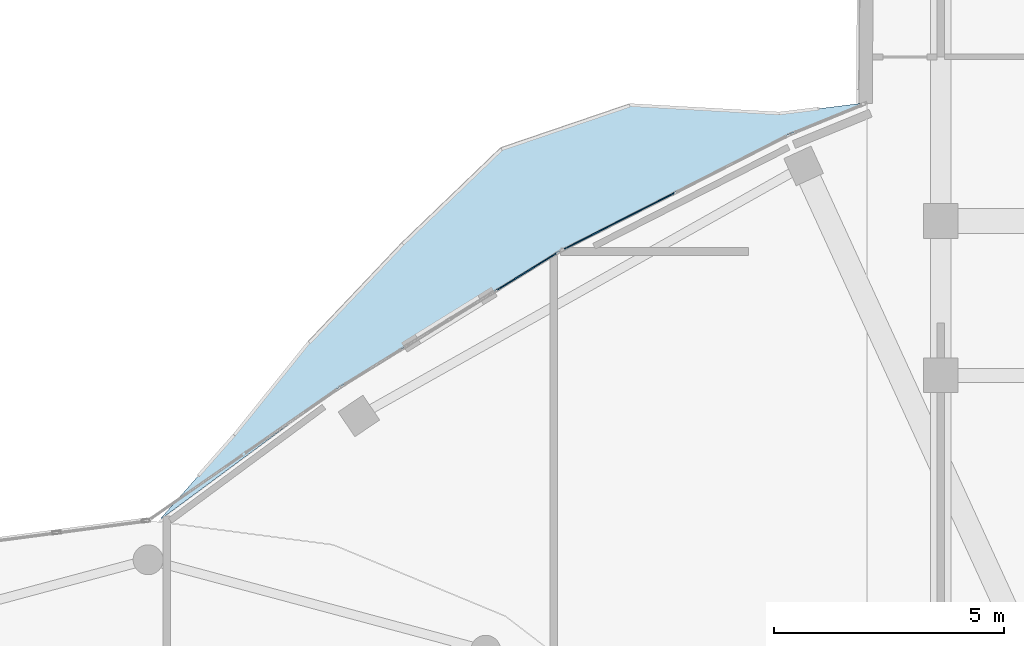
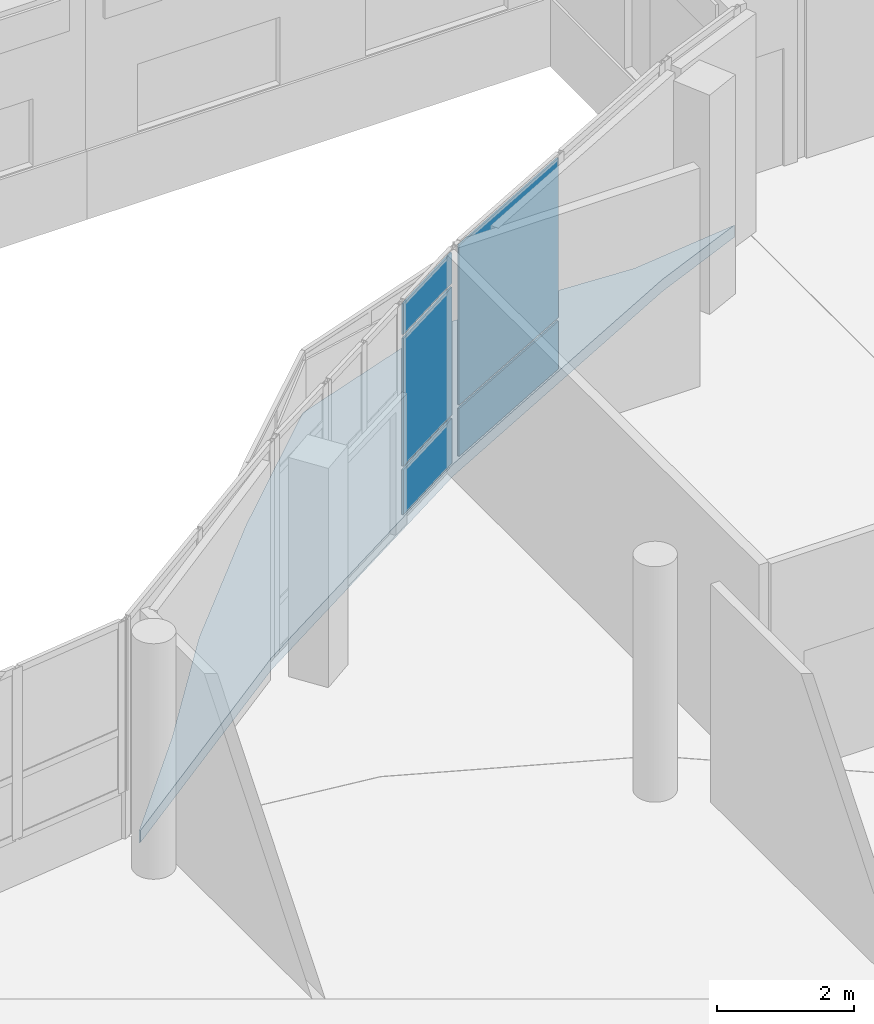
# One storey, part 153 of 184: 5 plates, 1 slab, 2 elements without a shape of their own.
"""IFC4 building model written with IfcOpenShell, lengths in metres."""

from ifc_helpers import new_model, si_unit, direction, frame, origin, origin_2d, place, context, subcontext, project, spatial, polyline, rectangle, outline, extrude, material, layer, layer_set, type_object, element, aggregate, save


model = new_model("IFC4")

# Units and contexts
model_context = context("Model", 3, precision=1e-05, world=origin(), true_north=direction((0.0, 1.0)))
body_context = subcontext(model_context, "Body", "Model", "MODEL_VIEW")
ifc_project = project(units=[si_unit("LENGTHUNIT", "METRE"), si_unit("AREAUNIT", "SQUARE_METRE"), si_unit("VOLUMEUNIT", "CUBIC_METRE"), si_unit("PLANEANGLEUNIT", "RADIAN"), si_unit("MASSUNIT", "GRAM", prefix="KILO")], contexts=[model_context])

# Site, building, storey
site_placement = place(None, origin())
site = spatial("IfcSite", under=ifc_project, at=site_placement, CompositionType="ELEMENT")
building_placement = place(site_placement, origin())
building = spatial("IfcBuilding", under=site, at=building_placement, Name="Selatvlak General Hospital", CompositionType="ELEMENT")
storey_placement = place(building_placement, frame((0.0, 0.0, 15.0)))
storey = spatial("IfcBuildingStorey", under=building, at=storey_placement, Name="L03", CompositionType="ELEMENT", Elevation=15.0)

# Curtain wall, plates
ifc_material_1 = material(Name="Solar-control Low-E double glazing", Category="glass")
curtain_wall_type = type_object("IfcCurtainWallType", Name="CW-CW-01", PredefinedType="USERDEFINED", material=ifc_material_1)
curtain_wall_1_placement = place(storey_placement, origin())
curtain_wall_1 = element("IfcCurtainWall", 1, at=curtain_wall_1_placement, inside=storey, type_object=curtain_wall_type, Name="Glazed facade curtain wall CW-L03-0472", ObjectType="UNITISED CURTAIN WALL", PredefinedType="USERDEFINED")
ifc_layer_1 = layer(ifc_material_1, 0.028076171875, Name="Solar-control Low-E double glazing", Category="glass")
ifc_layer_set_1 = layer_set([ifc_layer_1], Name="Solar-control Low-E double glazing")
plate_type = type_object("IfcPlateType", Name="CWP-01", PredefinedType="CURTAIN_PANEL", material=ifc_layer_set_1)
plate_1_placement = place(storey_placement, frame((106.214599609375, 74.902099609375, 0.06494140625), z_axis=(0.0, 0.0, 1.0), x_axis=(0.850724979241, 0.525611082166, 0.0)))
plate_1 = element("IfcPlate", 2, at=plate_1_placement, type_object=plate_type, Name="CW-01 panel 1.1", PredefinedType="CURTAIN_PANEL", context=body_context, shape_type="SweptSolid", body=[
    extrude(rectangle(XDim=1.490966796875, YDim=0.028076171875, at=origin_2d()), origin(), (0.0, 0.0, 1.0), 0.802490234375),
])
plate_2_placement = place(storey_placement, frame((106.214599609375, 74.902099609375, 0.9326171875), z_axis=(0.0, 0.0, 1.0), x_axis=(0.850724979241, 0.525611082166, 0.0)))
plate_2 = element("IfcPlate", 3, at=plate_2_placement, type_object=plate_type, Name="CW-01 panel 1.2", PredefinedType="CURTAIN_PANEL", context=body_context, shape_type="SweptSolid", body=[
    extrude(rectangle(XDim=1.490966796875, YDim=0.028076171875, at=origin_2d()), origin(), (0.0, 0.0, 1.0), 2.280029296875),
])
plate_3_placement = place(storey_placement, frame((106.214599609375, 74.902099609375, 3.27734375), z_axis=(0.0, 0.0, 1.0), x_axis=(0.850724979241, 0.525611082166, 0.0)))
plate_3 = element("IfcPlate", 4, at=plate_3_placement, type_object=plate_type, Name="CW-01 panel 1.3", PredefinedType="CURTAIN_PANEL", context=body_context, shape_type="SweptSolid", body=[
    extrude(rectangle(XDim=1.490966796875, YDim=0.028076171875, at=origin_2d()), origin(), (0.0, 0.0, 1.0), 0.552490234375),
])
aggregate(curtain_wall_1, [plate_1, plate_2, plate_3])

curtain_wall_2_placement = place(storey_placement, origin())
curtain_wall_2 = element("IfcCurtainWall", 5, at=curtain_wall_2_placement, inside=storey, type_object=curtain_wall_type, Name="Glazed facade curtain wall CW-L03-0473", ObjectType="UNITISED CURTAIN WALL", PredefinedType="USERDEFINED")
plate_4_placement = place(storey_placement, frame((108.2197265625, 75.9990234375, 0.06494140625), z_axis=(0.0, 0.0, 1.0), x_axis=(0.891326828077, 0.453361318983, 0.0)))
plate_4 = element("IfcPlate", 6, at=plate_4_placement, type_object=plate_type, Name="CW-01 panel 1.1", PredefinedType="CURTAIN_PANEL", context=body_context, shape_type="SweptSolid", body=[
    extrude(rectangle(XDim=2.6630859375, YDim=0.028076171875, at=origin_2d()), origin(), (0.0, 0.0, 1.0), 0.8525390625),
])
plate_5_placement = place(storey_placement, frame((108.2197265625, 75.9990234375, 0.982421875), z_axis=(0.0, 0.0, 1.0), x_axis=(0.891326828077, 0.453361318983, 0.0)))
plate_5 = element("IfcPlate", 7, at=plate_5_placement, type_object=plate_type, Name="CW-01 panel 1.2", PredefinedType="CURTAIN_PANEL", context=body_context, shape_type="SweptSolid", body=[
    extrude(rectangle(XDim=2.6630859375, YDim=0.028076171875, at=origin_2d()), origin(), (0.0, 0.0, 1.0), 2.847412109375),
])
aggregate(curtain_wall_2, [plate_4, plate_5])

# Slab
ifc_material_2 = material(Name="Concrete C40/50", Category="concrete")
ifc_layer_2 = layer(ifc_material_2, 0.215087890625, Name="Concrete C40/50", Category="concrete")
ifc_layer_set_2 = layer_set([ifc_layer_2], Name="Concrete C40/50")
slab_type = type_object("IfcSlabType", Name="SLAB-SL-BL3", PredefinedType="FLOOR", material=ifc_layer_set_2)
slab_placement = place(storey_placement, frame((0.0, 0.0, -0.215087890625)))
element("IfcSlab", 8, at=slab_placement, inside=storey, type_object=slab_type, Name="L03 S-curve sunshade balcony 3", PredefinedType="FLOOR", context=body_context, shape_type="SweptSolid", body=[
    extrude(outline(polyline([(105.6630859375, 77.570068359375), (108.443115234375, 78.51611328125), (111.697021484375, 78.3330078125), (113.52001953125, 78.55810546875), (111.907958984375, 77.882080078125), (106.916015625, 75.341064453125), (102.14892578125, 72.39501953125), (98.2919921875, 69.5419921875), (98.27001953125, 69.544921875), (99.867919921875, 71.35302734375), (101.491943359375, 73.3720703125), (103.51806640625, 75.509033203125), (105.6630859375, 77.570068359375)])), origin(), (0.0, 0.0, 1.0), 0.215087890625),
])

save(model, "model.ifc")
